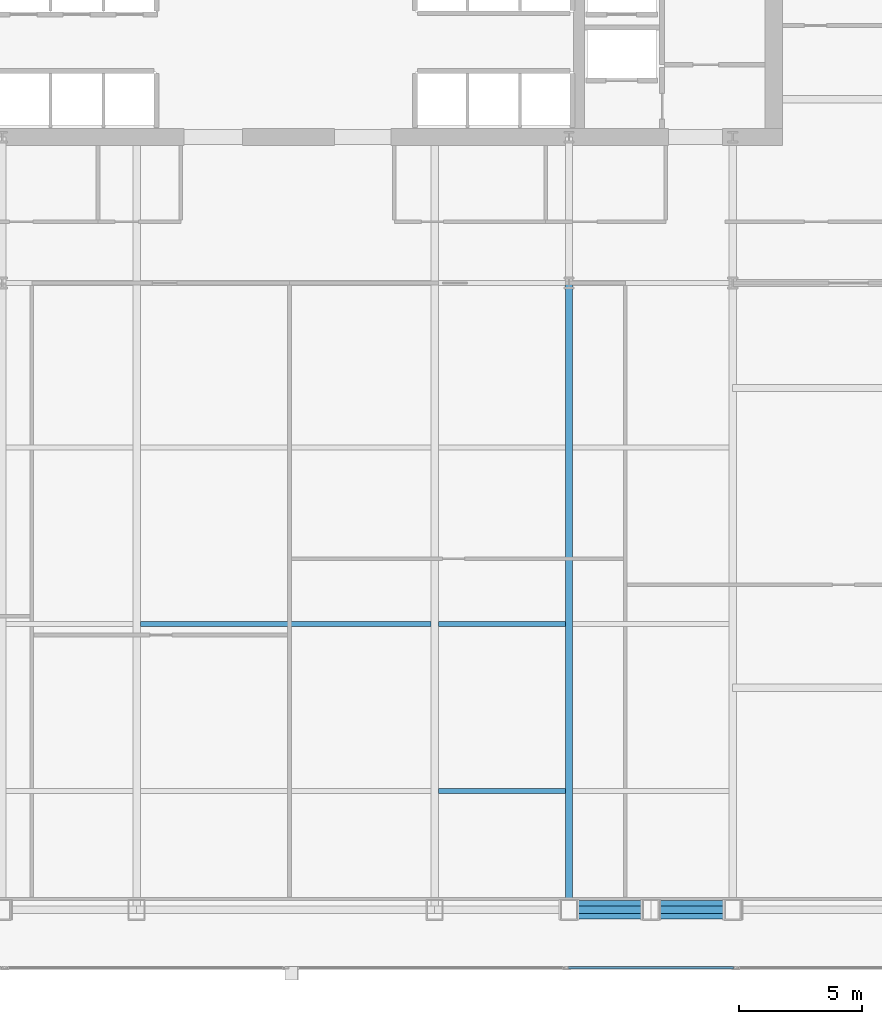
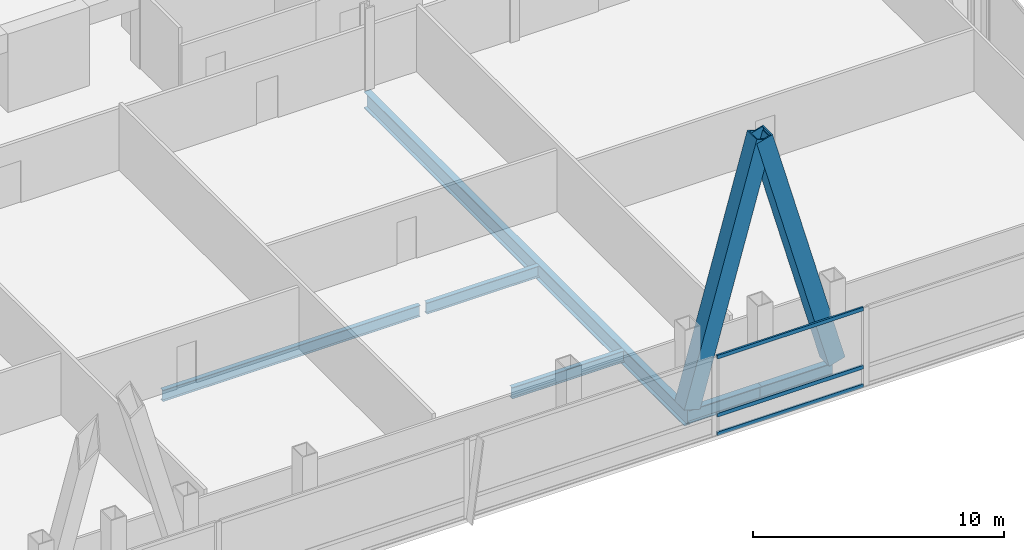
# One storey, part 15 of 32: 6 beams, 5 members, 1 element without a shape of its own.
"""IFC4 building model written with IfcOpenShell, lengths in metres."""

from ifc_helpers import new_model, si_unit, direction, frame, origin, origin_2d, place, context, subcontext, project, spatial, hollow_rectangle, i_section, extrude, material, material_profile, profile_set, type_object, element, aggregate, save


model = new_model("IFC4")

# Units and contexts
model_context = context("Model", 3, precision=1e-05, world=origin(), true_north=direction((0.0, 1.0)))
body_context = subcontext(model_context, "Body", "Model", "MODEL_VIEW")
ifc_project = project(units=[si_unit("LENGTHUNIT", "METRE"), si_unit("AREAUNIT", "SQUARE_METRE"), si_unit("VOLUMEUNIT", "CUBIC_METRE"), si_unit("PLANEANGLEUNIT", "RADIAN"), si_unit("MASSUNIT", "GRAM", prefix="KILO")], contexts=[model_context])

# Site, building, storey
site_placement = place(None, origin())
site = spatial("IfcSite", under=ifc_project, at=site_placement, CompositionType="ELEMENT")
building_placement = place(site_placement, origin())
building = spatial("IfcBuilding", under=site, at=building_placement, Name="Khoronbel Lancet Exchange", CompositionType="ELEMENT")
storey_placement = place(building_placement, frame((0.0, 0.0, 94.60009765625)))
storey = spatial("IfcBuildingStorey", under=building, at=storey_placement, Name="L22", CompositionType="ELEMENT", Elevation=94.60009765625)

# Beams
ifc_material_1 = material(Name="Steel S355", Category="steel")
ifc_material_profile_1 = material_profile(ifc_material_1, i_section(OverallWidth=0.300048828125, OverallDepth=0.800048828125, WebThickness=0.017578125, FlangeThickness=0.032958984375, at=origin_2d()), Name="HEB 800")
ifc_profile_set_1 = profile_set([ifc_material_profile_1], Name="Steel S355")
beam_type_1 = type_object("IfcBeamType", Name="BM-BG2", PredefinedType="BEAM", material=ifc_profile_set_1)
beam_1_placement = place(storey_placement, frame((48.0, 10.14990234375, -0.580078125), z_axis=(0.0, 1.0, 0.0), x_axis=(-1.0, 0.0, 0.0)))
element("IfcBeam", 1, at=beam_1_placement, inside=storey, type_object=beam_type_1, Name="Level L22 south primary girder GS5", PredefinedType="BEAM", context=body_context, shape_type="SweptSolid", body=[
    extrude(i_section(OverallWidth=0.300048828125, OverallDepth=0.800048828125, WebThickness=0.017578125, FlangeThickness=0.032958984375, at=origin_2d()), origin(), (0.0, 0.0, 1.0), 25.550048828125),
])
ifc_material_profile_2 = material_profile(ifc_material_1, i_section(OverallWidth=0.2099609375, OverallDepth=0.550048828125, WebThickness=0.010986328125, FlangeThickness=0.01708984375, at=origin_2d()), Name="IPE 550")
ifc_profile_set_2 = profile_set([ifc_material_profile_2], Name="Steel S355")
beam_type_2 = type_object("IfcBeamType", Name="BM-BJ2", PredefinedType="JOIST", material=ifc_profile_set_2)
beam_2_placement = place(storey_placement, frame((42.675048828125, 15.0, -0.455078125), z_axis=(1.0, 0.0, 0.0), x_axis=(0.0, 1.0, 0.0)))
element("IfcBeam", 2, at=beam_2_placement, inside=storey, type_object=beam_type_2, Name="Level L22 secondary composite joist J04", PredefinedType="JOIST", context=body_context, shape_type="SweptSolid", body=[
    extrude(i_section(OverallWidth=0.2099609375, OverallDepth=0.550048828125, WebThickness=0.010986328125, FlangeThickness=0.01708984375, at=origin_2d()), origin(), (0.0, 0.0, 1.0), 5.175048828125),
])
beam_3_placement = place(storey_placement, frame((30.52490234375, 21.800048828125, -0.455078125), z_axis=(1.0, 0.0, 0.0), x_axis=(0.0, 1.0, 0.0)))
element("IfcBeam", 3, at=beam_3_placement, inside=storey, type_object=beam_type_2, Name="Level L22 secondary composite joist J08", PredefinedType="JOIST", context=body_context, shape_type="SweptSolid", body=[
    extrude(i_section(OverallWidth=0.2099609375, OverallDepth=0.550048828125, WebThickness=0.010986328125, FlangeThickness=0.01708984375, at=origin_2d()), origin(), (0.0, 0.0, 1.0), 11.85009765625),
])
beam_4_placement = place(storey_placement, frame((42.675048828125, 21.800048828125, -0.455078125), z_axis=(1.0, 0.0, 0.0), x_axis=(0.0, 1.0, 0.0)))
element("IfcBeam", 4, at=beam_4_placement, inside=storey, type_object=beam_type_2, Name="Level L22 secondary composite joist J09", PredefinedType="JOIST", context=body_context, shape_type="SweptSolid", body=[
    extrude(i_section(OverallWidth=0.2099609375, OverallDepth=0.550048828125, WebThickness=0.010986328125, FlangeThickness=0.01708984375, at=origin_2d()), origin(), (0.0, 0.0, 1.0), 5.175048828125),
])
ifc_material_profile_3 = material_profile(ifc_material_1, i_section(OverallWidth=0.300048828125, OverallDepth=0.64990234375, WebThickness=0.01611328125, FlangeThickness=0.031005859375, at=origin_2d()), Name="HEB 650")
ifc_profile_set_3 = profile_set([ifc_material_profile_3], Name="Steel S355")
beam_type_3 = type_object("IfcBeamType", Name="BM-BSP1", PredefinedType="SPANDREL", material=ifc_profile_set_3)
beam_5_placement = place(storey_placement, frame((48.0, 10.14990234375, -0.505126953125), z_axis=(1.0, 0.0, 0.0), x_axis=(0.0, 1.0, 0.0)))
element("IfcBeam", 5, at=beam_5_placement, inside=storey, type_object=beam_type_3, Name="Level L22 perimeter spandrel beam SP07", PredefinedType="SPANDREL", context=body_context, shape_type="SweptSolid", body=[
    extrude(i_section(OverallWidth=0.300048828125, OverallDepth=0.64990234375, WebThickness=0.01611328125, FlangeThickness=0.031005859375, at=origin_2d()), origin(), (0.0, 0.0, 1.0), 3.33740234375),
])
beam_6_placement = place(storey_placement, frame((51.33740234375, 10.14990234375, -0.505126953125), z_axis=(1.0, 0.0, 0.0), x_axis=(0.0, 1.0, 0.0)))
element("IfcBeam", 6, at=beam_6_placement, inside=storey, type_object=beam_type_3, Name="Level L22 perimeter spandrel beam SP08", PredefinedType="SPANDREL", context=body_context, shape_type="SweptSolid", body=[
    extrude(i_section(OverallWidth=0.300048828125, OverallDepth=0.64990234375, WebThickness=0.01611328125, FlangeThickness=0.031005859375, at=origin_2d()), origin(), (0.0, 0.0, 1.0), 3.337646484375),
])

# Curtain wall, members
ifc_material_2 = material(Name="Low-E Solar Control Insulating Glass", Category="glass")
curtain_wall_type = type_object("IfcCurtainWallType", Name="CW-2", PredefinedType="NOTDEFINED", material=ifc_material_2)
curtain_wall_placement = place(storey_placement, origin())
curtain_wall = element("IfcCurtainWall", 7, at=curtain_wall_placement, inside=storey, type_object=curtain_wall_type, Name="Unitised curtain wall CW-L22-SEB", PredefinedType="NOTDEFINED")
ifc_material_3 = material(Name="Bronze-Anodised Aluminium 6063-T6", Category="aluminium")
ifc_material_profile_4 = material_profile(ifc_material_3, hollow_rectangle(XDim=0.0849609375, YDim=0.179931640625, WallThickness=0.0048828125, at=origin_2d()), Name="ALU TRANSOM 85x180")
ifc_profile_set_4 = profile_set([ifc_material_profile_4], Name="Bronze-Anodised Aluminium 6063-T6")
member_type_1 = type_object("IfcMemberType", Name="MEM-CWT1", PredefinedType="USERDEFINED", material=ifc_profile_set_4)
member_1_placement = place(storey_placement, frame((47.985107421875, 7.7900390625, 0.04248046875), z_axis=(1.0, 0.0, 0.0), x_axis=(0.0, 1.0, 0.0)))
member_1 = element("IfcMember", 8, at=member_1_placement, type_object=member_type_1, Name="CW2 transom 1.1", ObjectType="TRANSOM", PredefinedType="USERDEFINED", context=body_context, shape_type="SweptSolid", body=[
    extrude(hollow_rectangle(XDim=0.0849609375, YDim=0.179931640625, WallThickness=0.0048828125, at=origin_2d()), origin(), (0.0, 0.0, 1.0), 6.72998046875),
])
member_2_placement = place(storey_placement, frame((47.985107421875, 7.7900390625, 0.949951171875), z_axis=(1.0, 0.0, 0.0), x_axis=(0.0, 1.0, 0.0)))
member_2 = element("IfcMember", 9, at=member_2_placement, type_object=member_type_1, Name="CW2 transom 1.2", ObjectType="TRANSOM", PredefinedType="USERDEFINED", context=body_context, shape_type="SweptSolid", body=[
    extrude(hollow_rectangle(XDim=0.0849609375, YDim=0.179931640625, WallThickness=0.0048828125, at=origin_2d()), origin(), (0.0, 0.0, 1.0), 6.72998046875),
])
member_3_placement = place(storey_placement, frame((47.985107421875, 7.7900390625, 3.77734375), z_axis=(1.0, 0.0, 0.0), x_axis=(0.0, 1.0, 0.0)))
member_3 = element("IfcMember", 10, at=member_3_placement, type_object=member_type_1, Name="CW2 transom 1.3", ObjectType="TRANSOM", PredefinedType="USERDEFINED", context=body_context, shape_type="SweptSolid", body=[
    extrude(hollow_rectangle(XDim=0.0849609375, YDim=0.179931640625, WallThickness=0.0048828125, at=origin_2d()), origin(), (0.0, 0.0, 1.0), 6.72998046875),
])
aggregate(curtain_wall, [member_1, member_2, member_3])

# Members
ifc_material_4 = material(Name="Steel S460", Category="steel")
ifc_material_profile_5 = material_profile(ifc_material_4, hollow_rectangle(XDim=0.760009765625, YDim=0.760009765625, WallThickness=0.054931640625, at=origin_2d()), Name="BOX 760x760x55")
ifc_profile_set_5 = profile_set([ifc_material_profile_5], Name="Steel S460")
member_type_2 = type_object("IfcMemberType", Name="MEM-MB1", PredefinedType="BRACE", material=ifc_profile_set_5)
for number, where, z_axis, x_axis, name in (
    (11, (48.0, 10.14990234375, 0.0), (0.267947134133, 0.0, 0.963433616452), (0.0, 1.0, 0.0), "Perimeter lancet brace tier 7 S-E-L"),
    (12, (54.675048828125, 10.14990234375, 0.0), (-0.267965327822, 0.0, 0.963428556295), (0.0, -1.0, 0.0), "Perimeter lancet brace tier 7 S-E-R"),
):
    element("IfcMember", number, at=place(storey_placement, frame(where, z_axis=z_axis, x_axis=x_axis)), inside=storey, type_object=member_type_2, Name=name, PredefinedType="BRACE", context=body_context, shape_type="SweptSolid", body=[
        extrude(hollow_rectangle(XDim=0.760009765625, YDim=0.760009765625, WallThickness=0.054931640625, at=origin_2d()), origin(), (0.0, 0.0, 1.0), 12.45556640625),
    ])

save(model, "model.ifc")
